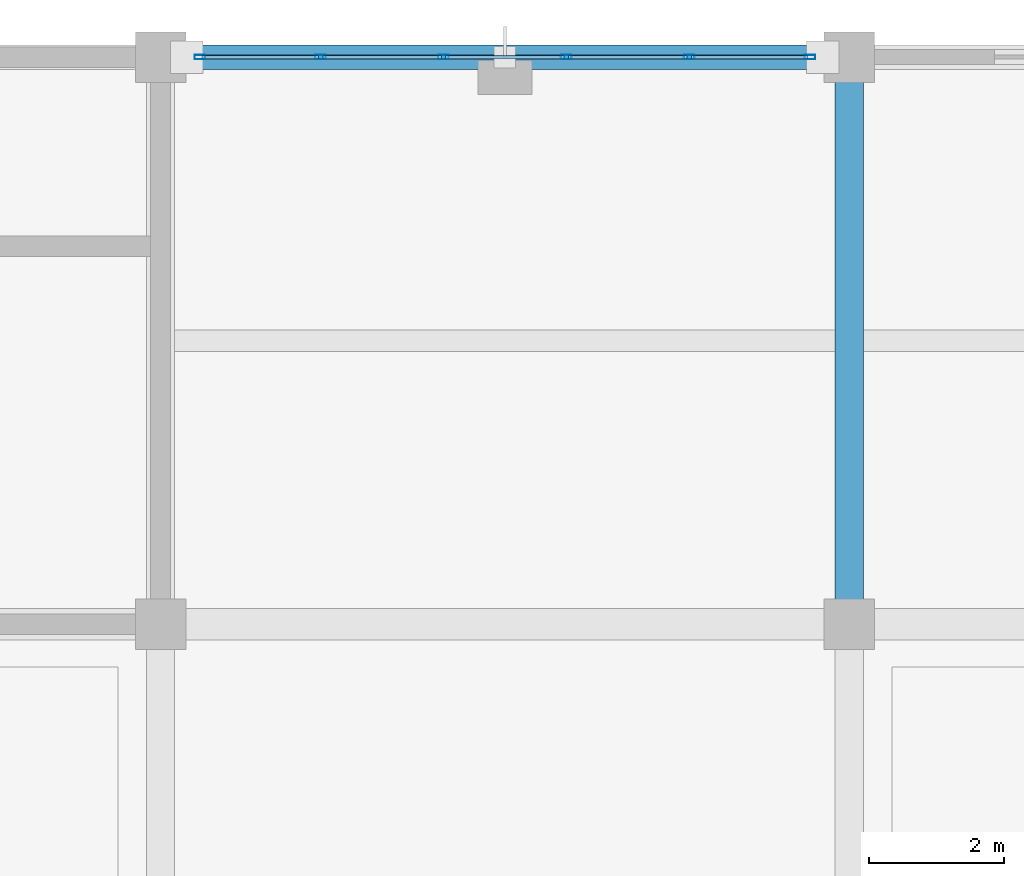
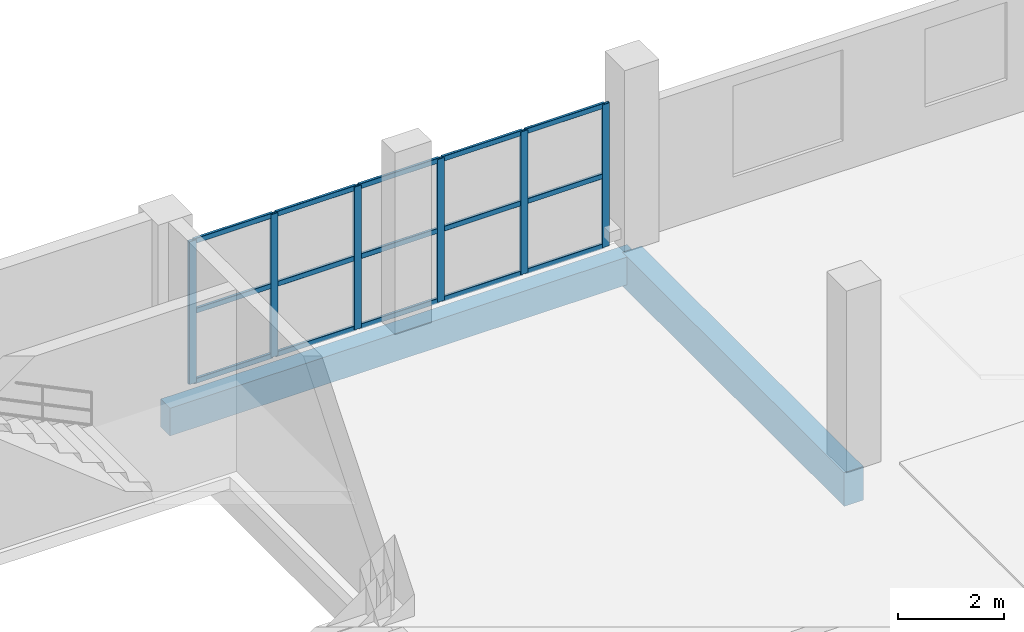
# One storey, part 91 of 157: 21 members, 2 beams, 1 element without a shape of its own.
"""IFC4 building model written with IfcOpenShell, lengths in metres."""

from ifc_helpers import new_model, si_unit, direction, frame, origin, origin_2d, place, context, subcontext, project, spatial, rectangle, hollow_rectangle, extrude, material, material_profile, profile_set, type_object, element, aggregate, save


model = new_model("IFC4")

# Units and contexts
model_context = context("Model", 3, precision=1e-05, world=origin(), true_north=direction((0.0, 1.0)))
body_context = subcontext(model_context, "Body", "Model", "MODEL_VIEW")
ifc_project = project(units=[si_unit("LENGTHUNIT", "METRE"), si_unit("AREAUNIT", "SQUARE_METRE"), si_unit("VOLUMEUNIT", "CUBIC_METRE"), si_unit("PLANEANGLEUNIT", "RADIAN"), si_unit("MASSUNIT", "GRAM", prefix="KILO")], contexts=[model_context])

# Site, building, storey
site_placement = place(None, origin())
site = spatial("IfcSite", under=ifc_project, at=site_placement, CompositionType="ELEMENT")
building_placement = place(site_placement, origin())
building = spatial("IfcBuilding", under=site, at=building_placement, Name="Brelvane Convention Centre", CompositionType="ELEMENT")
storey_placement = place(building_placement, frame((0.0, 0.0, 10.800048828125)))
storey = spatial("IfcBuildingStorey", under=building, at=storey_placement, Name="L02", CompositionType="ELEMENT", Elevation=10.800048828125)

# Curtain wall, members
ifc_material_1 = material(Name="Anodised Aluminium Alloy 6063-T6", Category="aluminium")
curtain_wall_type = type_object("IfcCurtainWallType", Name="Curtain Wall CW-BOUL", PredefinedType="USERDEFINED", material=ifc_material_1)
curtain_wall_placement = place(storey_placement, origin())
curtain_wall = element("IfcCurtainWall", 1, at=curtain_wall_placement, inside=storey, type_object=curtain_wall_type, Name="Curtain Wall CW-BOUL L02-V4N-04", ObjectType="UNITISED", PredefinedType="USERDEFINED")
ifc_material_2 = material(Name="Anodised Aluminium Alloy 6063-T6", Category="aluminium")
ifc_material_profile_1 = material_profile(ifc_material_2, hollow_rectangle(XDim=0.06494140625, YDim=0.159912109375, WallThickness=0.00390625, InnerFilletRadius=0.00390625, OuterFilletRadius=0.008056640625, at=origin_2d()), Name="ALU-M 160x65x4.0")
ifc_profile_set_1 = profile_set([ifc_material_profile_1], Name="Anodised Aluminium Alloy 6063-T6")
member_type_1 = type_object("IfcMemberType", Name="Curtain Mullion CW-M3", PredefinedType="MULLION", material=ifc_profile_set_1)
member_1_placement = place(storey_placement, frame((31.1826171875, 144.0, 0.0), z_axis=(0.0, 0.0, 1.0), x_axis=(0.0, 1.0, 0.0)))
member_1 = element("IfcMember", 2, at=member_1_placement, type_object=member_type_1, Name="CW-BOUL mullion 1", PredefinedType="MULLION", context=body_context, shape_type="SweptSolid", body=[
    extrude(hollow_rectangle(XDim=0.06494140625, YDim=0.159912109375, WallThickness=0.00390625, InnerFilletRadius=0.00390625, OuterFilletRadius=0.008056640625, at=origin_2d()), origin(), (0.0, 0.0, 1.0), 3.300048828125),
])
member_2_placement = place(storey_placement, frame((32.969970703125, 144.0, 0.0), z_axis=(0.0, 0.0, 1.0), x_axis=(0.0, 1.0, 0.0)))
member_2 = element("IfcMember", 3, at=member_2_placement, type_object=member_type_1, Name="CW-BOUL mullion 2", PredefinedType="MULLION", context=body_context, shape_type="SweptSolid", body=[
    extrude(hollow_rectangle(XDim=0.06494140625, YDim=0.159912109375, WallThickness=0.00390625, InnerFilletRadius=0.00390625, OuterFilletRadius=0.008056640625, at=origin_2d()), origin(), (0.0, 0.0, 1.0), 3.300048828125),
])
member_3_placement = place(storey_placement, frame((34.7900390625, 144.0, 0.0), z_axis=(0.0, 0.0, 1.0), x_axis=(0.0, 1.0, 0.0)))
member_3 = element("IfcMember", 4, at=member_3_placement, type_object=member_type_1, Name="CW-BOUL mullion 3", PredefinedType="MULLION", context=body_context, shape_type="SweptSolid", body=[
    extrude(hollow_rectangle(XDim=0.06494140625, YDim=0.159912109375, WallThickness=0.00390625, InnerFilletRadius=0.00390625, OuterFilletRadius=0.008056640625, at=origin_2d()), origin(), (0.0, 0.0, 1.0), 3.300048828125),
])
member_4_placement = place(storey_placement, frame((36.610107421875, 144.0, 0.0), z_axis=(0.0, 0.0, 1.0), x_axis=(0.0, 1.0, 0.0)))
member_4 = element("IfcMember", 5, at=member_4_placement, type_object=member_type_1, Name="CW-BOUL mullion 4", PredefinedType="MULLION", context=body_context, shape_type="SweptSolid", body=[
    extrude(hollow_rectangle(XDim=0.06494140625, YDim=0.159912109375, WallThickness=0.00390625, InnerFilletRadius=0.00390625, OuterFilletRadius=0.008056640625, at=origin_2d()), origin(), (0.0, 0.0, 1.0), 3.300048828125),
])
member_5_placement = place(storey_placement, frame((38.429931640625, 144.0, 0.0), z_axis=(0.0, 0.0, 1.0), x_axis=(0.0, 1.0, 0.0)))
member_5 = element("IfcMember", 6, at=member_5_placement, type_object=member_type_1, Name="CW-BOUL mullion 5", PredefinedType="MULLION", context=body_context, shape_type="SweptSolid", body=[
    extrude(hollow_rectangle(XDim=0.06494140625, YDim=0.159912109375, WallThickness=0.00390625, InnerFilletRadius=0.00390625, OuterFilletRadius=0.008056640625, at=origin_2d()), origin(), (0.0, 0.0, 1.0), 3.300048828125),
])
member_6_placement = place(storey_placement, frame((40.217529296875, 144.0, 0.0), z_axis=(0.0, 0.0, 1.0), x_axis=(0.0, 1.0, 0.0)))
member_6 = element("IfcMember", 7, at=member_6_placement, type_object=member_type_1, Name="CW-BOUL mullion 6", PredefinedType="MULLION", context=body_context, shape_type="SweptSolid", body=[
    extrude(hollow_rectangle(XDim=0.06494140625, YDim=0.159912109375, WallThickness=0.00390625, InnerFilletRadius=0.00390625, OuterFilletRadius=0.008056640625, at=origin_2d()), origin(), (0.0, 0.0, 1.0), 3.300048828125),
])
ifc_material_3 = material(Name="Anodised Aluminium Alloy 6063-T6", Category="aluminium")
ifc_material_profile_2 = material_profile(ifc_material_3, hollow_rectangle(XDim=0.06005859375, YDim=0.1201171875, WallThickness=0.00390625, InnerFilletRadius=0.00390625, OuterFilletRadius=0.008056640625, at=origin_2d()), Name="ALU-T 120x60x4.0")
ifc_profile_set_2 = profile_set([ifc_material_profile_2], Name="Anodised Aluminium Alloy 6063-T6")
member_type_2 = type_object("IfcMemberType", Name="Curtain Transom CW-T3", PredefinedType="USERDEFINED", material=ifc_profile_set_2)
member_7_placement = place(storey_placement, frame((31.215087890625, 144.0, 0.030029296875), z_axis=(1.0, 0.0, 0.0), x_axis=(0.0, 1.0, 0.0)))
member_7 = element("IfcMember", 8, at=member_7_placement, type_object=member_type_2, Name="CW-BOUL transom 1.1", ObjectType="TRANSOM", PredefinedType="USERDEFINED", context=body_context, shape_type="SweptSolid", body=[
    extrude(hollow_rectangle(XDim=0.06005859375, YDim=0.1201171875, WallThickness=0.00390625, InnerFilletRadius=0.00390625, OuterFilletRadius=0.008056640625, at=origin_2d()), origin(), (0.0, 0.0, 1.0), 1.722412109375),
])
member_8_placement = place(storey_placement, frame((31.215087890625, 144.0, 1.64990234375), z_axis=(1.0, 0.0, 0.0), x_axis=(0.0, 1.0, 0.0)))
member_8 = element("IfcMember", 9, at=member_8_placement, type_object=member_type_2, Name="CW-BOUL transom 1.2", ObjectType="TRANSOM", PredefinedType="USERDEFINED", context=body_context, shape_type="SweptSolid", body=[
    extrude(hollow_rectangle(XDim=0.06005859375, YDim=0.1201171875, WallThickness=0.00390625, InnerFilletRadius=0.00390625, OuterFilletRadius=0.008056640625, at=origin_2d()), origin(), (0.0, 0.0, 1.0), 1.722412109375),
])
member_9_placement = place(storey_placement, frame((31.215087890625, 144.0, 3.27001953125), z_axis=(1.0, 0.0, 0.0), x_axis=(0.0, 1.0, 0.0)))
member_9 = element("IfcMember", 10, at=member_9_placement, type_object=member_type_2, Name="CW-BOUL transom 1.3", ObjectType="TRANSOM", PredefinedType="USERDEFINED", context=body_context, shape_type="SweptSolid", body=[
    extrude(hollow_rectangle(XDim=0.06005859375, YDim=0.1201171875, WallThickness=0.00390625, InnerFilletRadius=0.00390625, OuterFilletRadius=0.008056640625, at=origin_2d()), origin(), (0.0, 0.0, 1.0), 1.722412109375),
])
member_10_placement = place(storey_placement, frame((33.00244140625, 144.0, 0.030029296875), z_axis=(1.0, 0.0, 0.0), x_axis=(0.0, 1.0, 0.0)))
member_10 = element("IfcMember", 11, at=member_10_placement, type_object=member_type_2, Name="CW-BOUL transom 2.1", ObjectType="TRANSOM", PredefinedType="USERDEFINED", context=body_context, shape_type="SweptSolid", body=[
    extrude(hollow_rectangle(XDim=0.06005859375, YDim=0.1201171875, WallThickness=0.00390625, InnerFilletRadius=0.00390625, OuterFilletRadius=0.008056640625, at=origin_2d()), origin(), (0.0, 0.0, 1.0), 1.755126953125),
])
member_11_placement = place(storey_placement, frame((33.00244140625, 144.0, 1.64990234375), z_axis=(1.0, 0.0, 0.0), x_axis=(0.0, 1.0, 0.0)))
member_11 = element("IfcMember", 12, at=member_11_placement, type_object=member_type_2, Name="CW-BOUL transom 2.2", ObjectType="TRANSOM", PredefinedType="USERDEFINED", context=body_context, shape_type="SweptSolid", body=[
    extrude(hollow_rectangle(XDim=0.06005859375, YDim=0.1201171875, WallThickness=0.00390625, InnerFilletRadius=0.00390625, OuterFilletRadius=0.008056640625, at=origin_2d()), origin(), (0.0, 0.0, 1.0), 1.755126953125),
])
member_12_placement = place(storey_placement, frame((33.00244140625, 144.0, 3.27001953125), z_axis=(1.0, 0.0, 0.0), x_axis=(0.0, 1.0, 0.0)))
member_12 = element("IfcMember", 13, at=member_12_placement, type_object=member_type_2, Name="CW-BOUL transom 2.3", ObjectType="TRANSOM", PredefinedType="USERDEFINED", context=body_context, shape_type="SweptSolid", body=[
    extrude(hollow_rectangle(XDim=0.06005859375, YDim=0.1201171875, WallThickness=0.00390625, InnerFilletRadius=0.00390625, OuterFilletRadius=0.008056640625, at=origin_2d()), origin(), (0.0, 0.0, 1.0), 1.755126953125),
])
member_13_placement = place(storey_placement, frame((34.822509765625, 144.0, 0.030029296875), z_axis=(1.0, 0.0, 0.0), x_axis=(0.0, 1.0, 0.0)))
member_13 = element("IfcMember", 14, at=member_13_placement, type_object=member_type_2, Name="CW-BOUL transom 3.1", ObjectType="TRANSOM", PredefinedType="USERDEFINED", context=body_context, shape_type="SweptSolid", body=[
    extrude(hollow_rectangle(XDim=0.06005859375, YDim=0.1201171875, WallThickness=0.00390625, InnerFilletRadius=0.00390625, OuterFilletRadius=0.008056640625, at=origin_2d()), origin(), (0.0, 0.0, 1.0), 1.7548828125),
])
member_14_placement = place(storey_placement, frame((34.822509765625, 144.0, 1.64990234375), z_axis=(1.0, 0.0, 0.0), x_axis=(0.0, 1.0, 0.0)))
member_14 = element("IfcMember", 15, at=member_14_placement, type_object=member_type_2, Name="CW-BOUL transom 3.2", ObjectType="TRANSOM", PredefinedType="USERDEFINED", context=body_context, shape_type="SweptSolid", body=[
    extrude(hollow_rectangle(XDim=0.06005859375, YDim=0.1201171875, WallThickness=0.00390625, InnerFilletRadius=0.00390625, OuterFilletRadius=0.008056640625, at=origin_2d()), origin(), (0.0, 0.0, 1.0), 1.7548828125),
])
member_15_placement = place(storey_placement, frame((34.822509765625, 144.0, 3.27001953125), z_axis=(1.0, 0.0, 0.0), x_axis=(0.0, 1.0, 0.0)))
member_15 = element("IfcMember", 16, at=member_15_placement, type_object=member_type_2, Name="CW-BOUL transom 3.3", ObjectType="TRANSOM", PredefinedType="USERDEFINED", context=body_context, shape_type="SweptSolid", body=[
    extrude(hollow_rectangle(XDim=0.06005859375, YDim=0.1201171875, WallThickness=0.00390625, InnerFilletRadius=0.00390625, OuterFilletRadius=0.008056640625, at=origin_2d()), origin(), (0.0, 0.0, 1.0), 1.7548828125),
])
member_16_placement = place(storey_placement, frame((36.642578125, 144.0, 0.030029296875), z_axis=(1.0, 0.0, 0.0), x_axis=(0.0, 1.0, 0.0)))
member_16 = element("IfcMember", 17, at=member_16_placement, type_object=member_type_2, Name="CW-BOUL transom 4.1", ObjectType="TRANSOM", PredefinedType="USERDEFINED", context=body_context, shape_type="SweptSolid", body=[
    extrude(hollow_rectangle(XDim=0.06005859375, YDim=0.1201171875, WallThickness=0.00390625, InnerFilletRadius=0.00390625, OuterFilletRadius=0.008056640625, at=origin_2d()), origin(), (0.0, 0.0, 1.0), 1.7548828125),
])
member_17_placement = place(storey_placement, frame((36.642578125, 144.0, 1.64990234375), z_axis=(1.0, 0.0, 0.0), x_axis=(0.0, 1.0, 0.0)))
member_17 = element("IfcMember", 18, at=member_17_placement, type_object=member_type_2, Name="CW-BOUL transom 4.2", ObjectType="TRANSOM", PredefinedType="USERDEFINED", context=body_context, shape_type="SweptSolid", body=[
    extrude(hollow_rectangle(XDim=0.06005859375, YDim=0.1201171875, WallThickness=0.00390625, InnerFilletRadius=0.00390625, OuterFilletRadius=0.008056640625, at=origin_2d()), origin(), (0.0, 0.0, 1.0), 1.7548828125),
])
member_18_placement = place(storey_placement, frame((36.642578125, 144.0, 3.27001953125), z_axis=(1.0, 0.0, 0.0), x_axis=(0.0, 1.0, 0.0)))
member_18 = element("IfcMember", 19, at=member_18_placement, type_object=member_type_2, Name="CW-BOUL transom 4.3", ObjectType="TRANSOM", PredefinedType="USERDEFINED", context=body_context, shape_type="SweptSolid", body=[
    extrude(hollow_rectangle(XDim=0.06005859375, YDim=0.1201171875, WallThickness=0.00390625, InnerFilletRadius=0.00390625, OuterFilletRadius=0.008056640625, at=origin_2d()), origin(), (0.0, 0.0, 1.0), 1.7548828125),
])
member_19_placement = place(storey_placement, frame((38.46240234375, 144.0, 0.030029296875), z_axis=(1.0, 0.0, 0.0), x_axis=(0.0, 1.0, 0.0)))
member_19 = element("IfcMember", 20, at=member_19_placement, type_object=member_type_2, Name="CW-BOUL transom 5.1", ObjectType="TRANSOM", PredefinedType="USERDEFINED", context=body_context, shape_type="SweptSolid", body=[
    extrude(hollow_rectangle(XDim=0.06005859375, YDim=0.1201171875, WallThickness=0.00390625, InnerFilletRadius=0.00390625, OuterFilletRadius=0.008056640625, at=origin_2d()), origin(), (0.0, 0.0, 1.0), 1.72265625),
])
member_20_placement = place(storey_placement, frame((38.46240234375, 144.0, 1.64990234375), z_axis=(1.0, 0.0, 0.0), x_axis=(0.0, 1.0, 0.0)))
member_20 = element("IfcMember", 21, at=member_20_placement, type_object=member_type_2, Name="CW-BOUL transom 5.2", ObjectType="TRANSOM", PredefinedType="USERDEFINED", context=body_context, shape_type="SweptSolid", body=[
    extrude(hollow_rectangle(XDim=0.06005859375, YDim=0.1201171875, WallThickness=0.00390625, InnerFilletRadius=0.00390625, OuterFilletRadius=0.008056640625, at=origin_2d()), origin(), (0.0, 0.0, 1.0), 1.72265625),
])
member_21_placement = place(storey_placement, frame((38.46240234375, 144.0, 3.27001953125), z_axis=(1.0, 0.0, 0.0), x_axis=(0.0, 1.0, 0.0)))
member_21 = element("IfcMember", 22, at=member_21_placement, type_object=member_type_2, Name="CW-BOUL transom 5.3", ObjectType="TRANSOM", PredefinedType="USERDEFINED", context=body_context, shape_type="SweptSolid", body=[
    extrude(hollow_rectangle(XDim=0.06005859375, YDim=0.1201171875, WallThickness=0.00390625, InnerFilletRadius=0.00390625, OuterFilletRadius=0.008056640625, at=origin_2d()), origin(), (0.0, 0.0, 1.0), 1.72265625),
])
aggregate(curtain_wall, [member_1, member_2, member_3, member_4, member_5, member_6, member_7, member_8, member_9, member_10, member_11, member_12, member_13, member_14, member_15, member_16, member_17, member_18, member_19, member_20, member_21])

# Beams
ifc_material_4 = material(Name="Concrete M40", Category="concrete")
ifc_material_profile_3 = material_profile(ifc_material_4, rectangle(XDim=0.419921875, YDim=0.780029296875, at=origin_2d()), Name="RC 420x780")
ifc_profile_set_3 = profile_set([ifc_material_profile_3], Name="Concrete M40")
beam_type_1 = type_object("IfcBeamType", Name="RC Beam B-RC12 (RC 420x780)", PredefinedType="BEAM", material=ifc_profile_set_3)
beam_1_placement = place(storey_placement, frame((40.800048828125, 135.60009765625, -0.670166015625), z_axis=(0.0, 1.0, 0.0), x_axis=(-1.0, 0.0, 0.0)))
element("IfcBeam", 23, at=beam_1_placement, inside=storey, type_object=beam_type_1, Name="L02 Girder 5/P-Q", PredefinedType="BEAM", context=body_context, shape_type="SweptSolid", body=[
    extrude(rectangle(XDim=0.419921875, YDim=0.780029296875, at=origin_2d()), origin(), (0.0, 0.0, 1.0), 8.39990234375),
])
ifc_material_5 = material(Name="Concrete M40", Category="concrete")
ifc_material_profile_4 = material_profile(ifc_material_5, rectangle(XDim=0.360107421875, YDim=0.639892578125, at=origin_2d()), Name="RC 360x640")
ifc_profile_set_4 = profile_set([ifc_material_profile_4], Name="Concrete M40")
beam_type_2 = type_object("IfcBeamType", Name="RC Spandrel SP-RC3 (RC 360x640)", PredefinedType="SPANDREL", material=ifc_profile_set_4)
beam_2_placement = place(storey_placement, frame((30.60009765625, 144.0, -0.60009765625), z_axis=(1.0, 0.0, 0.0), x_axis=(0.0, 1.0, 0.0)))
element("IfcBeam", 24, at=beam_2_placement, inside=storey, type_object=beam_type_2, Name="L02 Beam 4-5/Q", PredefinedType="SPANDREL", context=body_context, shape_type="SweptSolid", body=[
    extrude(rectangle(XDim=0.360107421875, YDim=0.639892578125, at=origin_2d()), origin(), (0.0, 0.0, 1.0), 10.199951171875),
])

save(model, "model.ifc")
